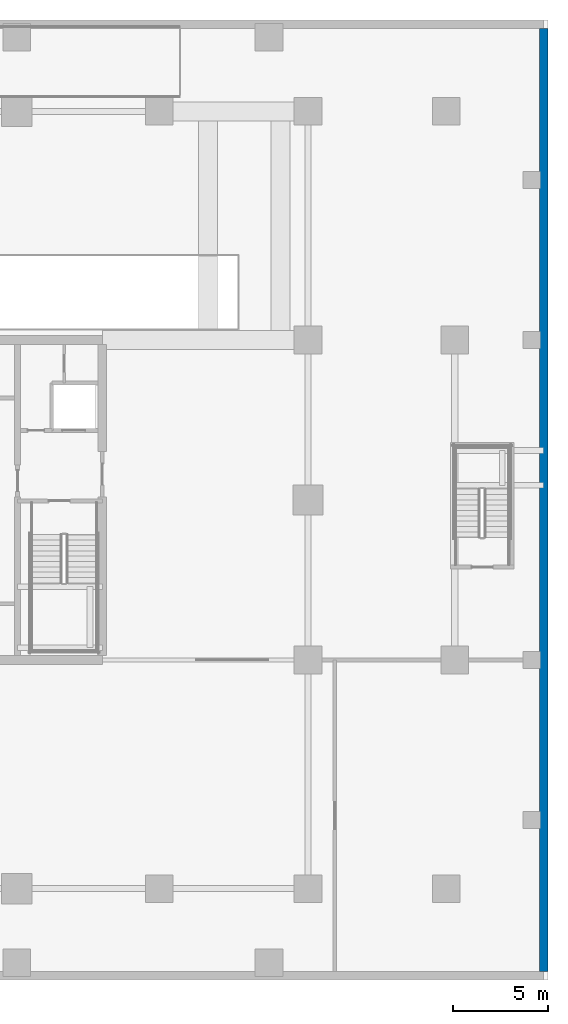
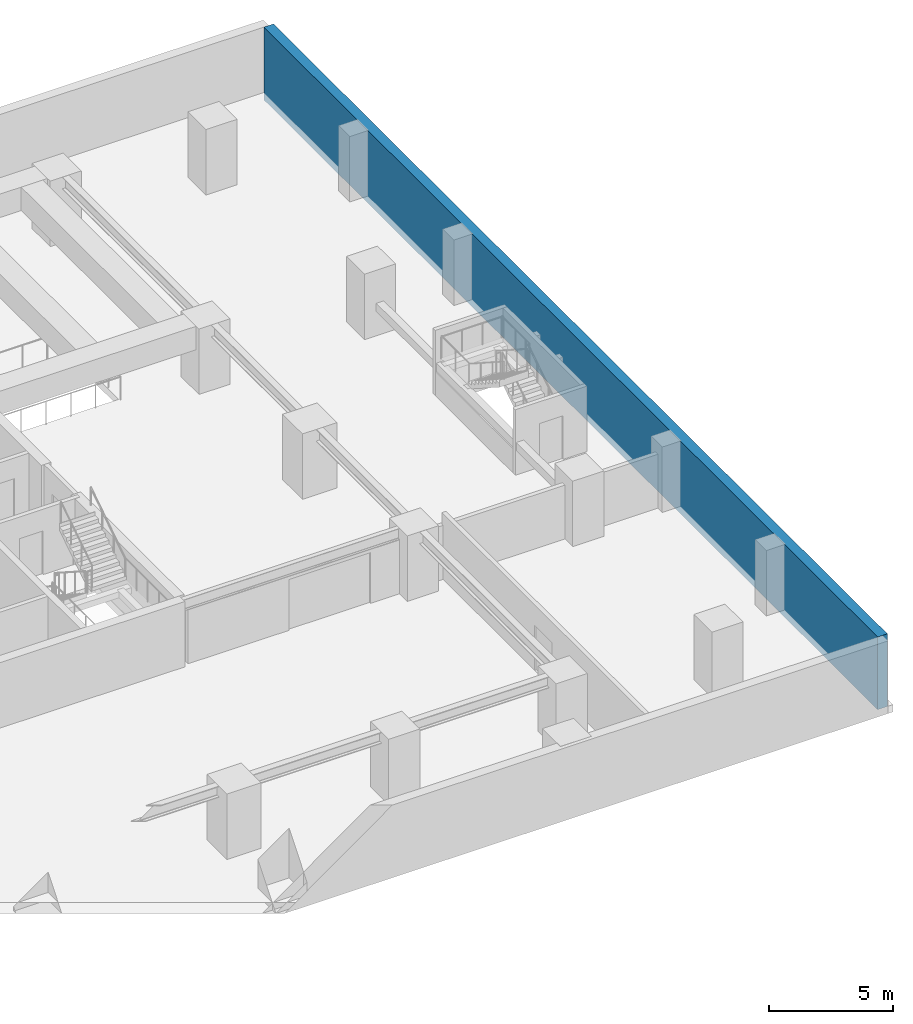
# One storey, part 5 of 10: 1 wall.
"""IFC4 building model written with IfcOpenShell, lengths in metres."""

import ifcopenshell
import ifcopenshell.guid

model = None  # the IFC model being written
_history = None  # IfcOwnerHistory: only IFC2X3 demands one
_inside = {}  # id of a spatial element -> (the spatial element, [elements in it])
_under = {}  # id of a project, library or spatial element -> (it, [spatial elements below it])
_declared = {}  # id of a project -> (the project, [libraries it declares])
_typed = {}  # id of a type object -> (the type object, [elements of that type])
_made_of = {}  # id of a material, layer set ... -> (it, [elements and type objects made of it])


def new_model(schema):
    """Start an empty IFC model of exactly this schema.

    Asked for "IFC4X3", IfcOpenShell would pick the latest addendum, in which some entities
    have other attributes; the version numbers below select the first issue.
    IFC2X3 requires an IfcOwnerHistory on every rooted entity: one is made here for all.
    """
    global model, _history
    if schema == "IFC4X3":
        model = ifcopenshell.file(schema_version=(4, 3, 0, 0))
    else:
        model = ifcopenshell.file(schema=schema)
    _inside.clear()
    _under.clear()
    _declared.clear()
    _typed.clear()
    _made_of.clear()
    _history = None
    if model.schema == "IFC2X3":
        org = make("IfcOrganization", Name="unknown")
        user = make(
            "IfcPersonAndOrganization",
            ThePerson=make("IfcPerson", FamilyName="unknown"),
            TheOrganization=org,
        )
        app = make(
            "IfcApplication",
            ApplicationDeveloper=org,
            Version="unknown",
            ApplicationFullName="unknown",
            ApplicationIdentifier="unknown",
        )
        _history = make(
            "IfcOwnerHistory",
            OwningUser=user,
            OwningApplication=app,
            ChangeAction="ADDED",
            CreationDate=0,
        )
    return model


def make(cls, **values):
    """One entity of the class cls with the attributes given. An attribute that is None is left unset."""
    return model.create_entity(
        cls, **{name: value for name, value in values.items() if value is not None}
    )


def rooted(cls, **values):
    """An entity with a GlobalId (a new one), such as an element, a storey or a relation."""
    return make(cls, GlobalId=ifcopenshell.guid.new(), OwnerHistory=_history, **values)


def si_unit(unit_type, name, prefix=None):
    """IfcSIUnit, for example si_unit("LENGTHUNIT", "METRE", prefix="MILLI")."""
    return make("IfcSIUnit", UnitType=unit_type, Prefix=prefix, Name=name)


def assignment(units):
    """IfcUnitAssignment: the units of a project."""
    return None if units is None else make("IfcUnitAssignment", Units=units)


def point(xyz):
    """IfcCartesianPoint."""
    return None if xyz is None else make("IfcCartesianPoint", Coordinates=xyz)


def direction(xyz):
    """IfcDirection."""
    return None if xyz is None else make("IfcDirection", DirectionRatios=xyz)


def frame(location, z_axis=None, x_axis=None):
    """IfcAxis2Placement3D, a coordinate frame: its origin and axes. An axis left out is left unset."""
    return make(
        "IfcAxis2Placement3D",
        Location=point(location),
        Axis=direction(z_axis),
        RefDirection=direction(x_axis),
    )


def frame_2d(location, x_axis=None):
    """IfcAxis2Placement2D, a coordinate frame in the plane: its origin and x axis."""
    return make(
        "IfcAxis2Placement2D", Location=point(location), RefDirection=direction(x_axis)
    )


def origin():
    """The frame at (0, 0, 0) with its axes left unset."""
    return frame((0.0, 0.0, 0.0))


def place(relative_to, where):
    """IfcLocalPlacement: puts the frame where relative to a parent placement (None: the world)."""
    return make(
        "IfcLocalPlacement", PlacementRelTo=relative_to, RelativePlacement=where
    )


def context(
    kind, dimensions, precision=None, world=None, true_north=None, identifier=None
):
    """IfcGeometricRepresentationContext, for example the 3D "Model" context."""
    return make(
        "IfcGeometricRepresentationContext",
        ContextIdentifier=identifier,
        ContextType=kind,
        CoordinateSpaceDimension=dimensions,
        Precision=precision,
        WorldCoordinateSystem=world,
        TrueNorth=true_north,
    )


def subcontext(parent, identifier, kind, view, scale=None):
    """IfcGeometricRepresentationSubContext, for example "Body" below "Model"."""
    return make(
        "IfcGeometricRepresentationSubContext",
        ContextIdentifier=identifier,
        ContextType=kind,
        ParentContext=parent,
        TargetScale=scale,
        TargetView=view,
    )


def project(units=None, contexts=None):
    """IfcProject with its units and contexts."""
    return rooted(
        "IfcProject",
        Name="project",
        RepresentationContexts=contexts,
        UnitsInContext=assignment(units),
    )


def spatial(cls, under=None, at=None, **own):
    """A site, building, storey or space (cls), placed at a placement, below another one or the project."""
    s = rooted(cls, ObjectPlacement=at, **own)
    if under is not None:
        _under.setdefault(under.id(), (under, []))[1].append(s)
    return s


def profile(cls, at=None, kind="AREA", **sizes):
    """A parametric profile (cls). Its sizes go by their IFC names, for example OverallWidth=200.0."""
    return make(cls, ProfileType=kind, Position=at, **sizes)


def rectangle(**sizes):
    """IfcRectangleProfileDef."""
    return profile("IfcRectangleProfileDef", **sizes)


def extrude(swept, where, along, depth):
    """IfcExtrudedAreaSolid: the profile swept, set in the frame where, extruded along a direction by depth."""
    return make(
        "IfcExtrudedAreaSolid",
        SweptArea=swept,
        Position=where,
        ExtrudedDirection=direction(along),
        Depth=depth,
    )


def shape(context_of_items, identifier, shape_type, items):
    """IfcShapeRepresentation: the items that make up one representation, for example the "Body"."""
    return make(
        "IfcShapeRepresentation",
        ContextOfItems=context_of_items,
        RepresentationIdentifier=identifier,
        RepresentationType=shape_type,
        Items=items,
    )


def material(Name=None, Category=None):
    """IfcMaterial."""
    return make("IfcMaterial", Name=Name, Category=Category)


def layer(
    of_material, thickness, ventilated=None, Name=None, Category=None, Priority=None
):
    """IfcMaterialLayer: one layer of a wall or slab, of a material (None: an air gap)."""
    return make(
        "IfcMaterialLayer",
        Material=of_material,
        LayerThickness=thickness,
        IsVentilated=ventilated,
        Name=Name,
        Category=Category,
        Priority=Priority,
    )


def layer_set(layers, Name=None):
    """IfcMaterialLayerSet."""
    return make("IfcMaterialLayerSet", MaterialLayers=layers, LayerSetName=Name)


def made_of(thing, what):
    """Note that an element or type object is made of a material, layer set ...; save() writes the relation."""
    if what is not None:
        _made_of.setdefault(what.id(), (what, []))[1].append(thing)
    return thing


def type_object(cls, material=None, **own):
    """A type object (cls), such as IfcWallType, which elements share."""
    return made_of(rooted(cls, **own), material)


def element(
    cls,
    number,
    at=None,
    inside=None,
    cuts=None,
    type_object=None,
    material=None,
    context=None,
    identifier="Body",
    shape_type=None,
    held_by="IfcProductDefinitionShape",
    body=None,
    shapes=None,
    **own,
):
    """One element of the class cls, such as IfcWall. Its Tag is "e" and its number.

    at: its placement. inside: the storey or other place that contains it. cuts: it is an
    opening in that element (IfcRelVoidsElement). A single representation is given by context,
    identifier, shape_type and body (its items); several are given by shapes. held_by: the class
    of the entity that holds the representations. save() writes the other relations.
    """
    e = rooted(cls, Tag="e%d" % number, ObjectPlacement=at, **own)
    if body is not None:
        shapes = [shape(context, identifier, shape_type, body)]
    if shapes is not None:
        e.Representation = make(held_by, Representations=shapes)
    if inside is not None:
        _inside.setdefault(inside.id(), (inside, []))[1].append(e)
    if cuts is not None:
        rooted(
            "IfcRelVoidsElement", RelatingBuildingElement=cuts, RelatedOpeningElement=e
        )
    if type_object is not None:
        _typed.setdefault(type_object.id(), (type_object, []))[1].append(e)
    return made_of(e, material)


def aggregate(whole, parts):
    """IfcRelAggregates: a whole, such as a stair, and the parts it consists of."""
    return rooted("IfcRelAggregates", RelatingObject=whole, RelatedObjects=parts)


def save(model, path):
    """Write the relations noted so far, then the file.

    IfcRelAggregates (storeys below a building ...), IfcRelContainedInSpatialStructure (elements
    in a storey), IfcRelDefinesByType, IfcRelAssociatesMaterial and IfcRelDeclares: one each for
    every whole, place, type object, material and project.
    """
    for whole, parts in _under.values():
        aggregate(whole, parts)
    for where, things in _inside.values():
        rooted(
            "IfcRelContainedInSpatialStructure",
            RelatedElements=things,
            RelatingStructure=where,
        )
    for kind, things in _typed.values():
        rooted("IfcRelDefinesByType", RelatedObjects=things, RelatingType=kind)
    for what, things in _made_of.values():
        rooted("IfcRelAssociatesMaterial", RelatedObjects=things, RelatingMaterial=what)
    for by, libraries in _declared.values():
        rooted("IfcRelDeclares", RelatingContext=by, RelatedDefinitions=libraries)
    model.write(path)


model = new_model("IFC4")

# Units and contexts
model_context = context("Model", 3, precision=1e-05, world=origin(), true_north=direction((0.0, 1.0)))
body_context = subcontext(model_context, "Body", "Model", "MODEL_VIEW")
ifc_project = project(units=[si_unit("LENGTHUNIT", "METRE"), si_unit("AREAUNIT", "SQUARE_METRE"), si_unit("VOLUMEUNIT", "CUBIC_METRE"), si_unit("PLANEANGLEUNIT", "RADIAN"), si_unit("MASSUNIT", "GRAM", prefix="KILO")], contexts=[model_context])

# Site, building, storey
site_placement = place(None, origin())
site = spatial("IfcSite", under=ifc_project, at=site_placement, CompositionType="ELEMENT")
building_placement = place(site_placement, origin())
building = spatial("IfcBuilding", under=site, at=building_placement, Name="Serunith Strait Residences", CompositionType="ELEMENT")
storey_placement = place(building_placement, frame((0.0, 0.0, -3.60009765625)))
storey = spatial("IfcBuildingStorey", under=building, at=storey_placement, Name="B01", CompositionType="ELEMENT", Elevation=-3.60009765625)

# Wall
ifc_material = material(Name="Concrete C50/60", Category="concrete")
ifc_layer = layer(ifc_material, 0.449951171875, Name="Concrete C50/60")
ifc_layer_set = layer_set([ifc_layer], Name="Concrete C50/60")
wall_type = type_object("IfcWallType", Name="RW-450-C50", PredefinedType="USERDEFINED", material=ifc_layer_set)
wall_placement = place(storey_placement, frame((64.574951171875, 0.449951171875, -0.35986328125), z_axis=(0.0, 0.0, 1.0), x_axis=(0.0, 1.0, 0.0)))
element("IfcWall", 1, at=wall_placement, inside=storey, type_object=wall_type, Name="B01 East Diaphragm Wall", ObjectType="RETAININGWALL", PredefinedType="USERDEFINED", context=body_context, shape_type="SweptSolid", body=[
    extrude(rectangle(XDim=49.5, YDim=0.449951171875, at=frame_2d((24.75, 0.0))), origin(), (0.0, 0.0, 1.0), 3.577880859375),
])

save(model, "model.ifc")
